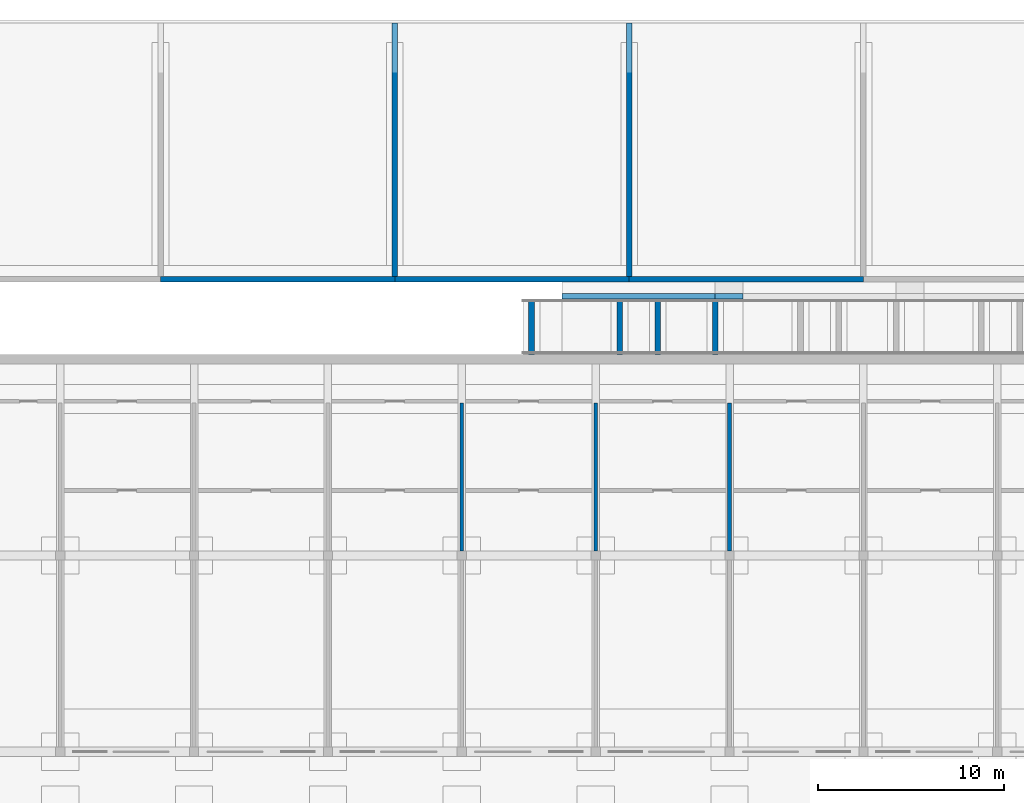
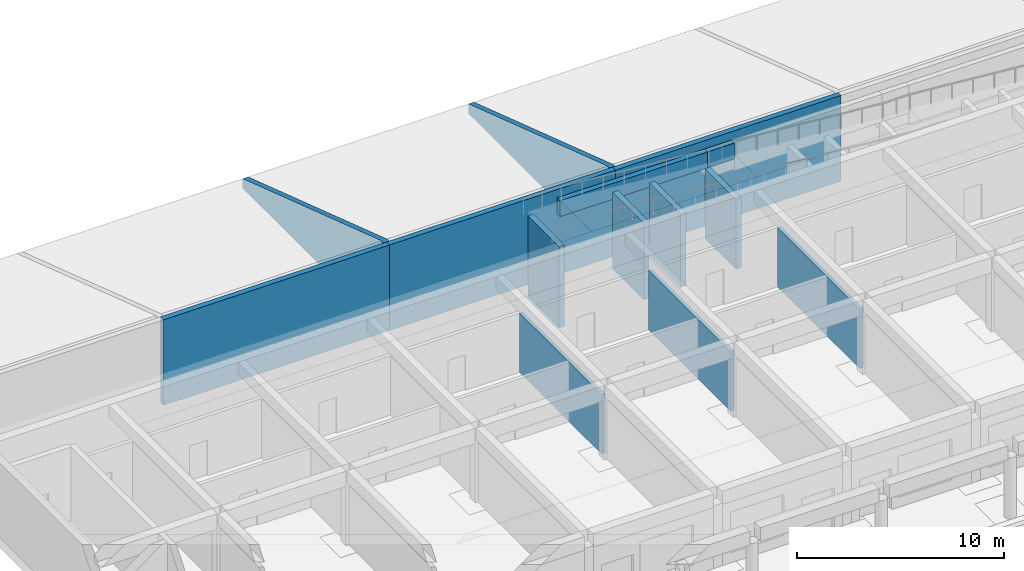
# One storey, part 52 of 73: 14 walls.
"""IFC4 building model written with IfcOpenShell, lengths in metres."""

from ifc_helpers import new_model, si_unit, direction, frame, frame_2d, origin, place, context, subcontext, project, spatial, polyline, rectangle, outline, extrude, material, layer, layer_set, type_object, element, save


model = new_model("IFC4")

# Units and contexts
model_context = context("Model", 3, precision=1e-05, world=origin(), true_north=direction((0.0, 1.0)))
body_context = subcontext(model_context, "Body", "Model", "MODEL_VIEW")
ifc_project = project(units=[si_unit("LENGTHUNIT", "METRE"), si_unit("AREAUNIT", "SQUARE_METRE"), si_unit("VOLUMEUNIT", "CUBIC_METRE"), si_unit("PLANEANGLEUNIT", "RADIAN"), si_unit("MASSUNIT", "GRAM", prefix="KILO")], contexts=[model_context])

# Site, building, storey
site_placement = place(None, origin())
site = spatial("IfcSite", under=ifc_project, at=site_placement, CompositionType="ELEMENT")
building_placement = place(site_placement, origin())
building = spatial("IfcBuilding", under=site, at=building_placement, Name="Alderwick Market Hall", CompositionType="ELEMENT")
storey_placement = place(building_placement, origin())
storey = spatial("IfcBuildingStorey", under=building, at=storey_placement, Name="LG", CompositionType="ELEMENT", Elevation=0.0)

# Walls
ifc_material_1 = material(Name="Concrete masonry 3000 psi", Category="masonry")
ifc_layer_1 = layer(ifc_material_1, 0.199951171875)
ifc_layer_set_1 = layer_set([ifc_layer_1], Name="Concrete masonry 3000 psi")
wall_type_1 = type_object("IfcWallType", Name="A Masonry Partition 200", PredefinedType="PARTITIONING", material=ifc_layer_set_1)
for number, where, z_axis, x_axis, name in (
    (1, (79.199951171875, 129.85009765625, 0.0), (0.0, 0.0, 1.0), (0.0, 1.0, 0.0), "A.N.wall.032"),
    (2, (86.39990234375, 129.85009765625, 0.0), (0.0, 0.0, 1.0), (0.0, 1.0, 0.0), "A.N.wall.034"),
    (3, (93.60009765625, 129.85009765625, 0.0), (0.0, 0.0, 1.0), (0.0, 1.0, 0.0), "A.N.wall.036"),
):
    element("IfcWall", number, at=place(storey_placement, frame(where, z_axis=z_axis, x_axis=x_axis)), inside=storey, type_object=wall_type_1, Name=name, PredefinedType="PARTITIONING", context=body_context, shape_type="SweptSolid", body=[
        extrude(rectangle(XDim=7.949951171875, YDim=0.199951171875, at=frame_2d((3.97509765625, 0.0))), origin(), (0.0, 0.0, 1.0), 3.5),
    ])
ifc_material_2 = material(Name="Concrete 5000 psi (f'c 35 MPa)", Category="concrete")
ifc_layer_2 = layer(ifc_material_2, 0.300048828125)
ifc_layer_set_2 = layer_set([ifc_layer_2], Name="Concrete 5000 psi (f'c 35 MPa)")
wall_type_2 = type_object("IfcWallType", Name="S Retaining Wall 300", PredefinedType="SOLIDWALL", material=ifc_layer_set_2)
wall_1_placement = place(storey_placement, frame((94.3291015625, 143.550048828125, 3.8642578125), z_axis=(0.0, 0.0, 1.0), x_axis=(-1.0, 0.0, 0.0)))
element("IfcWall", 4, at=wall_1_placement, inside=storey, type_object=wall_type_2, Name="Trench wall N.13", PredefinedType="SOLIDWALL", context=body_context, shape_type="SweptSolid", body=[
    extrude(rectangle(XDim=1.5, YDim=0.300048828125, at=frame_2d((0.75, 0.0))), origin(), (0.0, 0.0, 1.0), 0.935791015625),
])
wall_2_placement = place(storey_placement, frame((92.8291015625, 143.550048828125, 3.8642578125), z_axis=(0.0, 0.0, 1.0), x_axis=(-1.0, 0.0, 0.0)))
element("IfcWall", 5, at=wall_2_placement, inside=storey, type_object=wall_type_2, Name="Trench wall N.14", PredefinedType="SOLIDWALL", context=body_context, shape_type="SweptSolid", body=[
    extrude(rectangle(XDim=8.22900390625, YDim=0.300048828125, at=frame_2d((4.114501953125, 0.0))), origin(), (0.0, 0.0, 1.0), 0.935791015625),
])
wall_3_placement = place(storey_placement, frame((92.8291015625, 140.39990234375, -0.25), z_axis=(0.0, 0.0, 1.0), x_axis=(0.0, 1.0, 0.0)))
element("IfcWall", 6, at=wall_3_placement, inside=storey, type_object=wall_type_2, Name="Ramp support wall N6c", PredefinedType="SOLIDWALL", context=body_context, shape_type="SweptSolid", body=[
    extrude(rectangle(XDim=3.0, YDim=0.300048828125, at=frame_2d((1.5, 0.0))), origin(), (0.0, 0.0, 1.0), 4.1142578125),
])
wall_4_placement = place(storey_placement, frame((89.7431640625, 140.39990234375, -0.25), z_axis=(0.0, 0.0, 1.0), x_axis=(0.0, 1.0, 0.0)))
element("IfcWall", 7, at=wall_4_placement, inside=storey, type_object=wall_type_2, Name="Ramp support wall N7b", PredefinedType="SOLIDWALL", context=body_context, shape_type="SweptSolid", body=[
    extrude(rectangle(XDim=3.0, YDim=0.300048828125, at=frame_2d((1.5, 0.0))), origin(), (0.0, 0.0, 1.0), 4.35888671875),
])
wall_5_placement = place(storey_placement, frame((87.685791015625, 140.39990234375, -0.25), z_axis=(0.0, 0.0, 1.0), x_axis=(0.0, 1.0, 0.0)))
element("IfcWall", 8, at=wall_5_placement, inside=storey, type_object=wall_type_2, Name="Ramp support wall N7d", PredefinedType="SOLIDWALL", context=body_context, shape_type="SweptSolid", body=[
    extrude(rectangle(XDim=3.0, YDim=0.300048828125, at=frame_2d((1.5, 0.0))), origin(), (0.0, 0.0, 1.0), 4.530517578125),
])
wall_6_placement = place(storey_placement, frame((82.949951171875, 140.39990234375, -0.25), z_axis=(0.0, 0.0, 1.0), x_axis=(0.0, 1.0, 0.0)))
element("IfcWall", 9, at=wall_6_placement, inside=storey, type_object=wall_type_2, Name="Ramp support wall N7c", PredefinedType="SOLIDWALL", context=body_context, shape_type="SweptSolid", body=[
    extrude(rectangle(XDim=3.0, YDim=0.300048828125, at=frame_2d((1.5, 0.0))), origin(), (0.0, 0.0, 1.0), 4.800048828125),
])
wall_7_placement = place(storey_placement, frame((63.0, 144.449951171875, -0.25), z_axis=(0.0, 0.0, 1.0), x_axis=(1.0, 0.0, 0.0)))
element("IfcWall", 10, at=wall_7_placement, inside=storey, type_object=wall_type_2, Name="Berm crest wall N06", PredefinedType="SOLIDWALL", context=body_context, shape_type="SweptSolid", body=[
    extrude(rectangle(XDim=12.60009765625, YDim=0.300048828125, at=frame_2d((6.300048828125, 0.0))), origin(), (0.0, 0.0, 1.0), 5.050048828125),
])
wall_8_placement = place(storey_placement, frame((75.60009765625, 144.449951171875, -0.25), z_axis=(0.0, 0.0, 1.0), x_axis=(1.0, 0.0, 0.0)))
element("IfcWall", 11, at=wall_8_placement, inside=storey, type_object=wall_type_2, Name="Berm crest wall N07", PredefinedType="SOLIDWALL", context=body_context, shape_type="SweptSolid", body=[
    extrude(rectangle(XDim=12.599853515625, YDim=0.300048828125, at=frame_2d((6.2998046875, 0.0))), origin(), (0.0, 0.0, 1.0), 5.050048828125),
])
wall_9_placement = place(storey_placement, frame((88.199951171875, 144.449951171875, -0.25), z_axis=(0.0, 0.0, 1.0), x_axis=(1.0, 0.0, 0.0)))
element("IfcWall", 12, at=wall_9_placement, inside=storey, type_object=wall_type_2, Name="Berm crest wall N08", PredefinedType="SOLIDWALL", context=body_context, shape_type="SweptSolid", body=[
    extrude(rectangle(XDim=12.60009765625, YDim=0.300048828125, at=frame_2d((6.300048828125, 0.0))), origin(), (0.0, 0.0, 1.0), 5.050048828125),
])
for number, where, z_axis, x_axis, name in (
    (13, (75.60009765625, 144.60009765625, -0.25), (0.0, 0.0, 1.0), (0.0, 1.0, 0.0), "Berm cross wall N07"),
    (14, (88.199951171875, 144.60009765625, -0.25), (0.0, 0.0, 1.0), (0.0, 1.0, 0.0), "Berm cross wall N08"),
):
    element("IfcWall", number, at=place(storey_placement, frame(where, z_axis=z_axis, x_axis=x_axis)), inside=storey, type_object=wall_type_2, Name=name, PredefinedType="SOLIDWALL", context=body_context, shape_type="SweptSolid", body=[
        extrude(outline(polyline([(0.0, 0.0), (13.632080078125, 0.0), (13.632080078125, 0.569091796875), (0.189697265625, 5.050048828125), (0.0, 5.050048828125), (0.0, 0.0)])), frame((0.0, 0.14990234375, 0.0), z_axis=(0.0, -1.0, 0.0), x_axis=(1.0, 0.0, 0.0)), (0.0, 0.0, 1.0), 0.300048828125),
    ])

save(model, "model.ifc")
